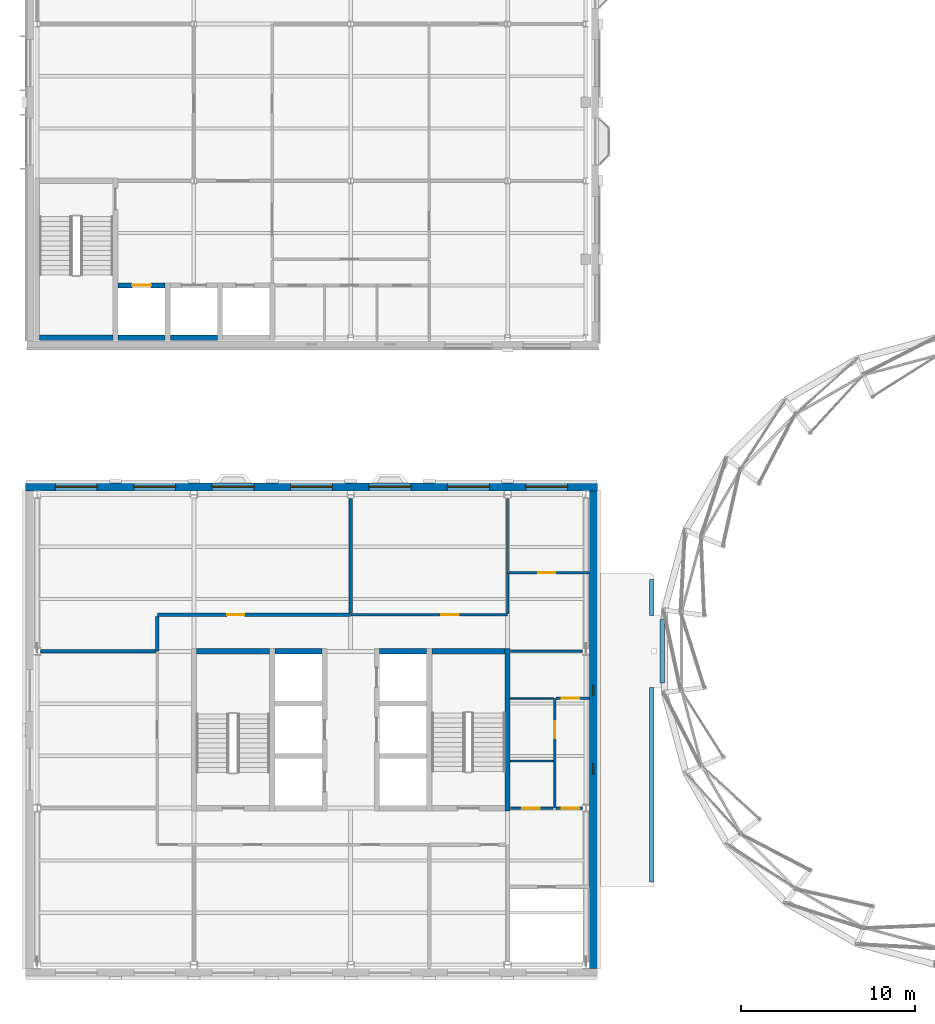
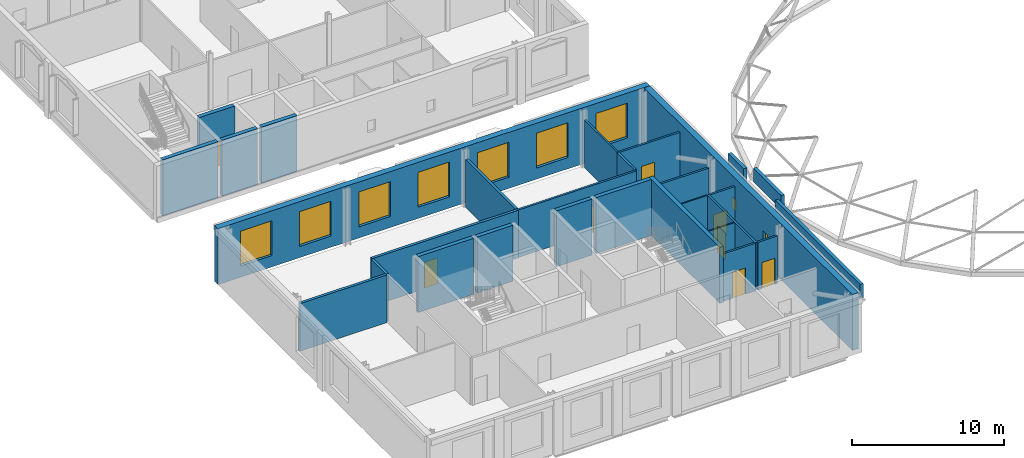
# One storey, part 24 of 59: 29 walls, 9 windows, 8 doors, 17 openings.
"""IFC4 building model written with IfcOpenShell, lengths in metres."""

from ifc_helpers import new_model, si_unit, direction, frame, frame_2d, origin, place, context, subcontext, project, spatial, rectangle, extrude, material, layer, layer_set, type_object, element, fill, save


model = new_model("IFC4")

# Units and contexts
model_context = context("Model", 3, precision=1e-05, world=origin(), true_north=direction((0.0, 1.0)))
body_context = subcontext(model_context, "Body", "Model", "MODEL_VIEW")
ifc_project = project(units=[si_unit("LENGTHUNIT", "METRE"), si_unit("AREAUNIT", "SQUARE_METRE"), si_unit("VOLUMEUNIT", "CUBIC_METRE"), si_unit("PLANEANGLEUNIT", "RADIAN"), si_unit("MASSUNIT", "GRAM", prefix="KILO")], contexts=[model_context])

# Site, building, storey
site_placement = place(None, origin())
site = spatial("IfcSite", under=ifc_project, at=site_placement, CompositionType="ELEMENT")
building_placement = place(site_placement, origin())
building = spatial("IfcBuilding", under=site, at=building_placement, Name="Hortulan Conservatory and Botanical Research Centre", CompositionType="ELEMENT")
storey_placement = place(building_placement, frame((0.0, 0.0, 10.5)))
storey = spatial("IfcBuildingStorey", under=building, at=storey_placement, Name="L02", CompositionType="ELEMENT", Elevation=10.5)

# Walls
ifc_material_1 = material(Name="Fire-rated plasterboard on steel studs", Category="steel")
ifc_layer_1 = layer(ifc_material_1, 0.199951171875)
ifc_layer_set_1 = layer_set([ifc_layer_1], Name="Compartment Partition 200")
wall_type_1 = type_object("IfcWallType", Name="Compartment Partition 200", PredefinedType="PARTITIONING", material=ifc_layer_set_1)
wall_1_placement = place(storey_placement, frame((6.89990234375, 18.010009765625, 0.0), z_axis=(0.0, 0.0, 1.0), x_axis=(0.0, 1.0, 0.0)))
element("IfcWall", 1, at=wall_1_placement, inside=storey, type_object=wall_type_1, Name="Store wall", PredefinedType="PARTITIONING", context=body_context, shape_type="SweptSolid", body=[
    extrude(rectangle(XDim=1.97998046875, YDim=0.199951171875, at=frame_2d((0.989990234375, 0.0))), origin(), (0.0, 0.0, 1.0), 3.822021484375),
])
wall_2_placement = place(storey_placement, frame((18.0, 20.2099609375, 0.0), z_axis=(0.0, 0.0, 1.0), x_axis=(0.0, 1.0, 0.0)))
element("IfcWall", 2, at=wall_2_placement, inside=storey, type_object=wall_type_1, Name="Store wall", PredefinedType="PARTITIONING", context=body_context, shape_type="SweptSolid", body=[
    extrude(rectangle(XDim=6.569091796875, YDim=0.199951171875, at=frame_2d((3.28466796875, 0.0))), origin(), (0.0, 0.0, 1.0), 3.822021484375),
])
wall_3_placement = place(storey_placement, frame((0.2099609375, 18.0, 0.0), z_axis=(0.0, 0.0, 1.0), x_axis=(1.0, 0.0, 0.0)))
element("IfcWall", 3, at=wall_3_placement, inside=storey, type_object=wall_type_1, Name="Store wall", PredefinedType="PARTITIONING", context=body_context, shape_type="SweptSolid", body=[
    extrude(rectangle(XDim=6.60498046875, YDim=0.199951171875, at=frame_2d((3.302490234375, 0.0))), origin(), (0.0, 0.0, 1.0), 3.822021484375),
])

# Wall, opening, door
wall_4_placement = place(storey_placement, frame((6.89990234375, 20.10009765625, 0.0), z_axis=(0.0, 0.0, 1.0), x_axis=(1.0, 0.0, 0.0)))
wall_4 = element("IfcWall", 4, at=wall_4_placement, inside=storey, type_object=wall_type_1, Name="Store wall", PredefinedType="PARTITIONING", context=body_context, shape_type="SweptSolid", body=[
    extrude(rectangle(XDim=11.10009765625, YDim=0.199951171875, at=frame_2d((5.550048828125, 0.0))), origin(), (0.0, 0.0, 1.0), 3.822021484375),
])
opening_1_placement = place(wall_4_placement, frame((4.0, 0.0, 0.0)))
opening_1 = element("IfcOpeningElement", 5, at=opening_1_placement, cuts=wall_4, Name="Opening DT6", PredefinedType="OPENING", context=body_context, shape_type="SweptSolid", body=[
    extrude(rectangle(XDim=1.0, YDim=2.10009765625, at=frame_2d((0.5, 1.050048828125))), frame((0.0, 0.10986328125, 0.0), z_axis=(0.0, -1.0, 0.0), x_axis=(1.0, 0.0, 0.0)), (0.0, 0.0, 1.0), 0.219970703125),
])
ifc_material_2 = material(Name="Steel door leaf, insulated", Category="steel")
door_type_1 = type_object("IfcDoorType", Name="Fire Door 1000x2100 FRL -/120/30", OperationType="NOTDEFINED", PredefinedType="DOOR", material=ifc_material_2)
door_1_placement = place(opening_1_placement, origin())
door_1 = element("IfcDoor", 6, at=door_1_placement, inside=storey, type_object=door_type_1, Name="Door DT6 Herbarium Archive Hall", OperationType="SINGLE_SWING_LEFT", OverallHeight=2.10009765625, OverallWidth=1.0, PredefinedType="DOOR", context=body_context, shape_type="SweptSolid", body=[
    extrude(rectangle(XDim=1.0, YDim=2.10009765625, at=frame_2d((0.5, 1.050048828125))), frame((0.0, 0.02490234375, 0.0), z_axis=(0.0, -1.0, 0.0), x_axis=(1.0, 0.0, 0.0)), (0.0, 0.0, 1.0), 0.050048828125),
])
fill(opening_1, door_1)

# Walls
ifc_material_3 = material(Name="Concrete N40 (40 MPa, AS 3600)", Category="concrete")
ifc_layer_2 = layer(ifc_material_3, 0.300048828125)
ifc_layer_set_2 = layer_set([ifc_layer_2], Name="Core Wall 300 N40 FRL 180/120/120")
wall_type_2 = type_object("IfcWallType", Name="Core Wall 300 N40 FRL 180/120/120", PredefinedType="SHEAR", material=ifc_layer_set_2)
wall_5_placement = place(storey_placement, frame((0.14990234375, 36.0, 0.0), z_axis=(0.0, 0.0, 1.0), x_axis=(1.0, 0.0, 0.0)))
element("IfcWall", 7, at=wall_5_placement, inside=storey, type_object=wall_type_2, Name="Reinforced concrete shaft wall", PredefinedType="SHEAR", context=body_context, shape_type="SweptSolid", body=[
    extrude(rectangle(XDim=4.2001953125, YDim=0.300048828125, at=frame_2d((2.10009765625, 0.0))), origin(), (0.0, 0.0, 1.0), 4.5),
])
for number, where, z_axis, x_axis, name in (
    (8, (4.64990234375, 36.0, 0.0), (0.0, 0.0, 1.0), (1.0, 0.0, 0.0), "Reinforced concrete shaft wall"),
    (9, (7.64990234375, 36.0, 0.0), (0.0, 0.0, 1.0), (1.0, 0.0, 0.0), "Reinforced concrete shaft wall"),
):
    element("IfcWall", number, at=place(storey_placement, frame(where, z_axis=z_axis, x_axis=x_axis)), inside=storey, type_object=wall_type_2, Name=name, PredefinedType="SHEAR", context=body_context, shape_type="SweptSolid", body=[
        extrude(rectangle(XDim=2.7001953125, YDim=0.300048828125, at=frame_2d((1.35009765625, 0.0))), origin(), (0.0, 0.0, 1.0), 4.5),
    ])

# Wall, opening, door
wall_6_placement = place(storey_placement, frame((4.64990234375, 39.0, 0.0), z_axis=(0.0, 0.0, 1.0), x_axis=(1.0, 0.0, 0.0)))
wall_6 = element("IfcWall", 10, at=wall_6_placement, inside=storey, type_object=wall_type_2, Name="Reinforced concrete shaft wall", PredefinedType="SHEAR", context=body_context, shape_type="SweptSolid", body=[
    extrude(rectangle(XDim=2.7001953125, YDim=0.300048828125, at=frame_2d((1.35009765625, 0.0))), origin(), (0.0, 0.0, 1.0), 4.5),
])
opening_2_placement = place(wall_6_placement, frame((0.800048828125, 0.0, 0.0)))
opening_2 = element("IfcOpeningElement", 11, at=opening_2_placement, cuts=wall_6, Name="Opening LD1", PredefinedType="OPENING", context=body_context, shape_type="SweptSolid", body=[
    extrude(rectangle(XDim=1.10009765625, YDim=2.10009765625, at=frame_2d((0.550048828125, 1.050048828125))), frame((0.0, 0.159912109375, 0.0), z_axis=(0.0, -1.0, 0.0), x_axis=(1.0, 0.0, 0.0)), (0.0, 0.0, 1.0), 0.320068359375),
])
ifc_material_4 = material(Name="Stainless steel door leaves in steel frame", Category="steel")
door_type_2 = type_object("IfcDoorType", Name="Lift Landing Door 1100x2100", OperationType="DOUBLE_DOOR_SLIDING", PredefinedType="DOOR", material=ifc_material_4)
door_2_placement = place(opening_2_placement, origin())
door_2 = element("IfcDoor", 12, at=door_2_placement, inside=storey, type_object=door_type_2, Name="Lift LV1 landing door L02", OperationType="DOUBLE_DOOR_SLIDING", OverallHeight=2.10009765625, OverallWidth=1.10009765625, PredefinedType="DOOR", context=body_context, shape_type="SweptSolid", body=[
    extrude(rectangle(XDim=1.10009765625, YDim=2.10009765625, at=frame_2d((0.550048828125, 1.050048828125))), frame((0.0, 0.02490234375, 0.0), z_axis=(0.0, -1.0, 0.0), x_axis=(1.0, 0.0, 0.0)), (0.0, 0.0, 1.0), 0.050048828125),
])
fill(opening_2, door_2)

# Walls
ifc_material_5 = material(Name="Concrete N50 (50 MPa, AS 3600)", Category="concrete")
ifc_layer_3 = layer(ifc_material_5, 0.300048828125)
ifc_layer_set_3 = layer_set([ifc_layer_3], Name="Core Wall 300 N50 FRL 240/120/120")
wall_type_3 = type_object("IfcWallType", Name="Core Wall 300 N50 FRL 240/120/120", PredefinedType="SHEAR", material=ifc_layer_set_3)
wall_7_placement = place(storey_placement, frame((27.0, 8.85009765625, 0.0), z_axis=(0.0, 0.0, 1.0), x_axis=(0.0, 1.0, 0.0)))
element("IfcWall", 13, at=wall_7_placement, inside=storey, type_object=wall_type_3, Name="Reinforced concrete shaft wall", PredefinedType="SHEAR", context=body_context, shape_type="SweptSolid", body=[
    extrude(rectangle(XDim=9.2998046875, YDim=0.300048828125, at=frame_2d((4.64990234375, 0.0))), origin(), (0.0, 0.0, 1.0), 4.5),
])
wall_8_placement = place(storey_placement, frame((9.14990234375, 18.0, 0.0), z_axis=(0.0, 0.0, 1.0), x_axis=(1.0, 0.0, 0.0)))
element("IfcWall", 14, at=wall_8_placement, inside=storey, type_object=wall_type_3, Name="Reinforced concrete shaft wall", PredefinedType="SHEAR", context=body_context, shape_type="SweptSolid", body=[
    extrude(rectangle(XDim=4.2001953125, YDim=0.300048828125, at=frame_2d((2.10009765625, 0.0))), origin(), (0.0, 0.0, 1.0), 4.5),
])
for number, where, z_axis, x_axis, name in (
    (15, (13.64990234375, 18.0, 0.0), (0.0, 0.0, 1.0), (1.0, 0.0, 0.0), "Reinforced concrete shaft wall"),
    (16, (19.64990234375, 18.0, 0.0), (0.0, 0.0, 1.0), (1.0, 0.0, 0.0), "Reinforced concrete shaft wall"),
):
    element("IfcWall", number, at=place(storey_placement, frame(where, z_axis=z_axis, x_axis=x_axis)), inside=storey, type_object=wall_type_3, Name=name, PredefinedType="SHEAR", context=body_context, shape_type="SweptSolid", body=[
        extrude(rectangle(XDim=2.7001953125, YDim=0.300048828125, at=frame_2d((1.35009765625, 0.0))), origin(), (0.0, 0.0, 1.0), 4.5),
    ])
wall_9_placement = place(storey_placement, frame((22.64990234375, 18.0, 0.0), z_axis=(0.0, 0.0, 1.0), x_axis=(1.0, 0.0, 0.0)))
element("IfcWall", 17, at=wall_9_placement, inside=storey, type_object=wall_type_3, Name="Reinforced concrete shaft wall", PredefinedType="SHEAR", context=body_context, shape_type="SweptSolid", body=[
    extrude(rectangle(XDim=4.2001953125, YDim=0.300048828125, at=frame_2d((2.10009765625, 0.0))), origin(), (0.0, 0.0, 1.0), 4.5),
])
ifc_material_6 = material(Name="Plasterboard on steel studs", Category="steel")
ifc_layer_4 = layer(ifc_material_6, 0.14990234375)
ifc_layer_set_4 = layer_set([ifc_layer_4], Name="Corridor Partition 150")
wall_type_4 = type_object("IfcWallType", Name="Corridor Partition 150", PredefinedType="PARTITIONING", material=ifc_layer_set_4)
wall_10_placement = place(storey_placement, frame((27.0, 20.18505859375, 0.0), z_axis=(0.0, 0.0, 1.0), x_axis=(0.0, 1.0, 0.0)))
element("IfcWall", 18, at=wall_10_placement, inside=storey, type_object=wall_type_4, Name="Corridor partition", PredefinedType="PARTITIONING", context=body_context, shape_type="SweptSolid", body=[
    extrude(rectangle(XDim=2.304931640625, YDim=0.14990234375, at=frame_2d((1.15234375, 0.0))), origin(), (0.0, 0.0, 1.0), 3.822021484375),
])

# Wall, opening, door
wall_11_placement = place(storey_placement, frame((27.159912109375, 9.0, 0.0), z_axis=(0.0, 0.0, 1.0), x_axis=(1.0, 0.0, 0.0)))
wall_11 = element("IfcWall", 19, at=wall_11_placement, inside=storey, type_object=wall_type_4, Name="Corridor partition", PredefinedType="PARTITIONING", context=body_context, shape_type="SweptSolid", body=[
    extrude(rectangle(XDim=2.455078125, YDim=0.14990234375, at=frame_2d((1.2275390625, 0.0))), origin(), (0.0, 0.0, 1.0), 3.822021484375),
])
opening_3_placement = place(wall_11_placement, frame((0.68994140625, 0.0, 0.0)))
opening_3 = element("IfcOpeningElement", 20, at=opening_3_placement, cuts=wall_11, Name="Opening DT1", PredefinedType="OPENING", context=body_context, shape_type="SweptSolid", body=[
    extrude(rectangle(XDim=1.0, YDim=2.10009765625, at=frame_2d((0.5, 1.050048828125))), frame((0.0, 0.0849609375, 0.0), z_axis=(0.0, -1.0, 0.0), x_axis=(1.0, 0.0, 0.0)), (0.0, 0.0, 1.0), 0.169921875),
])
ifc_material_7 = material(Name="Timber door leaf in timber frame", Category="wood")
door_type_3 = type_object("IfcDoorType", Name="Single Door 1000x2100", OperationType="NOTDEFINED", PredefinedType="DOOR", material=ifc_material_7)
door_3_placement = place(opening_3_placement, origin())
door_3 = element("IfcDoor", 21, at=door_3_placement, inside=storey, type_object=door_type_3, Name="Door DT1 Accessible WC", OperationType="SINGLE_SWING_RIGHT", OverallHeight=2.10009765625, OverallWidth=1.0, PredefinedType="DOOR", context=body_context, shape_type="SweptSolid", body=[
    extrude(rectangle(XDim=1.0, YDim=2.10009765625, at=frame_2d((0.5, 1.050048828125))), frame((0.0, 0.02490234375, 0.0), z_axis=(0.0, -1.0, 0.0), x_axis=(1.0, 0.0, 0.0)), (0.0, 0.0, 1.0), 0.050048828125),
])
fill(opening_3, door_3)

# Wall
wall_12_placement = place(storey_placement, frame((27.159912109375, 18.0, 0.0), z_axis=(0.0, 0.0, 1.0), x_axis=(1.0, 0.0, 0.0)))
element("IfcWall", 22, at=wall_12_placement, inside=storey, type_object=wall_type_4, Name="Corridor partition", PredefinedType="PARTITIONING", context=body_context, shape_type="SweptSolid", body=[
    extrude(rectangle(XDim=4.130126953125, YDim=0.14990234375, at=frame_2d((2.06494140625, 0.0))), origin(), (0.0, 0.0, 1.0), 3.822021484375),
])

# Wall, opening, door
wall_13_placement = place(storey_placement, frame((18.010009765625, 20.10009765625, 0.0), z_axis=(0.0, 0.0, 1.0), x_axis=(1.0, 0.0, 0.0)))
wall_13 = element("IfcWall", 23, at=wall_13_placement, inside=storey, type_object=wall_type_4, Name="Corridor partition", PredefinedType="PARTITIONING", context=body_context, shape_type="SweptSolid", body=[
    extrude(rectangle(XDim=8.989990234375, YDim=0.14990234375, at=frame_2d((4.4951171875, 0.0))), origin(), (0.0, 0.0, 1.0), 3.822021484375),
])
opening_4_placement = place(wall_13_placement, frame((5.18994140625, 0.0, 0.0)))
opening_4 = element("IfcOpeningElement", 24, at=opening_4_placement, cuts=wall_13, Name="Opening DT1", PredefinedType="OPENING", context=body_context, shape_type="SweptSolid", body=[
    extrude(rectangle(XDim=1.0, YDim=2.10009765625, at=frame_2d((0.5, 1.050048828125))), frame((0.0, 0.0849609375, 0.0), z_axis=(0.0, -1.0, 0.0), x_axis=(1.0, 0.0, 0.0)), (0.0, 0.0, 1.0), 0.169921875),
])
door_4_placement = place(opening_4_placement, origin())
door_4 = element("IfcDoor", 25, at=door_4_placement, inside=storey, type_object=door_type_3, Name="Door DT1 Herbarium Photography Studio", OperationType="SINGLE_SWING_RIGHT", OverallHeight=2.10009765625, OverallWidth=1.0, PredefinedType="DOOR", context=body_context, shape_type="SweptSolid", body=[
    extrude(rectangle(XDim=1.0, YDim=2.10009765625, at=frame_2d((0.5, 1.050048828125))), frame((0.0, 0.02490234375, 0.0), z_axis=(0.0, -1.0, 0.0), x_axis=(1.0, 0.0, 0.0)), (0.0, 0.0, 1.0), 0.050048828125),
])
fill(opening_4, door_4)

wall_14_placement = place(storey_placement, frame((27.072509765625, 22.5, 0.0), z_axis=(0.0, 0.0, 1.0), x_axis=(1.0, 0.0, 0.0)))
wall_14 = element("IfcWall", 26, at=wall_14_placement, inside=storey, type_object=wall_type_4, Name="Corridor partition", PredefinedType="PARTITIONING", context=body_context, shape_type="SweptSolid", body=[
    extrude(rectangle(XDim=4.617431640625, YDim=0.14990234375, at=frame_2d((2.30859375, 0.0))), origin(), (0.0, 0.0, 1.0), 3.822021484375),
])
opening_5_placement = place(wall_14_placement, frame((1.677490234375, 0.0, 0.0)))
opening_5 = element("IfcOpeningElement", 27, at=opening_5_placement, cuts=wall_14, Name="Opening DT1", PredefinedType="OPENING", context=body_context, shape_type="SweptSolid", body=[
    extrude(rectangle(XDim=1.0, YDim=2.10009765625, at=frame_2d((0.5, 1.050048828125))), frame((0.0, 0.0849609375, 0.0), z_axis=(0.0, -1.0, 0.0), x_axis=(1.0, 0.0, 0.0)), (0.0, 0.0, 1.0), 0.169921875),
])
door_5_placement = place(opening_5_placement, origin())
door_5 = element("IfcDoor", 28, at=door_5_placement, inside=storey, type_object=door_type_3, Name="Door DT1 Curators' Meeting Room", OperationType="SINGLE_SWING_RIGHT", OverallHeight=2.10009765625, OverallWidth=1.0, PredefinedType="DOOR", context=body_context, shape_type="SweptSolid", body=[
    extrude(rectangle(XDim=1.0, YDim=2.10009765625, at=frame_2d((0.5, 1.050048828125))), frame((0.0, 0.02490234375, 0.0), z_axis=(0.0, -1.0, 0.0), x_axis=(1.0, 0.0, 0.0)), (0.0, 0.0, 1.0), 0.050048828125),
])
fill(opening_5, door_5)

ifc_layer_5 = layer(ifc_material_1, 0.14990234375)
ifc_layer_set_5 = layer_set([ifc_layer_5], Name="Lobby Partition 150")
wall_type_5 = type_object("IfcWallType", Name="Lobby Partition 150", PredefinedType="PARTITIONING", material=ifc_layer_set_5)
wall_15_placement = place(storey_placement, frame((29.699951171875, 9.0, 0.0), z_axis=(0.0, 0.0, 1.0), x_axis=(0.0, 1.0, 0.0)))
wall_15 = element("IfcWall", 29, at=wall_15_placement, inside=storey, type_object=wall_type_5, Name="Lobby partition", PredefinedType="PARTITIONING", context=body_context, shape_type="SweptSolid", body=[
    extrude(rectangle(XDim=6.300048828125, YDim=0.14990234375, at=frame_2d((3.14990234375, 0.0))), origin(), (0.0, 0.0, 1.0), 3.822021484375),
])
opening_6_placement = place(wall_15_placement, frame((4.0, 0.0, 0.0)))
opening_6 = element("IfcOpeningElement", 30, at=opening_6_placement, cuts=wall_15, Name="Opening DT4", PredefinedType="OPENING", context=body_context, shape_type="SweptSolid", body=[
    extrude(rectangle(XDim=1.0, YDim=2.10009765625, at=frame_2d((0.5, 1.050048828125))), frame((0.0, 0.0849609375, 0.0), z_axis=(0.0, -1.0, 0.0), x_axis=(1.0, 0.0, 0.0)), (0.0, 0.0, 1.0), 0.169921875),
])
door_type_4 = type_object("IfcDoorType", Name="Fire Door 1000x2100 FRL -/60/30", OperationType="NOTDEFINED", PredefinedType="DOOR", material=ifc_material_2)
door_6_placement = place(opening_6_placement, origin())
door_6 = element("IfcDoor", 31, at=door_6_placement, inside=storey, type_object=door_type_4, Name="Door DT4 Women's WC", OperationType="SINGLE_SWING_LEFT", OverallHeight=2.10009765625, OverallWidth=1.0, PredefinedType="DOOR", context=body_context, shape_type="SweptSolid", body=[
    extrude(rectangle(XDim=1.0, YDim=2.10009765625, at=frame_2d((0.5, 1.050048828125))), frame((0.0, 0.02490234375, 0.0), z_axis=(0.0, -1.0, 0.0), x_axis=(1.0, 0.0, 0.0)), (0.0, 0.0, 1.0), 0.050048828125),
])
fill(opening_6, door_6)

wall_16_placement = place(storey_placement, frame((29.784912109375, 9.0, 0.0), z_axis=(0.0, 0.0, 1.0), x_axis=(1.0, 0.0, 0.0)))
wall_16 = element("IfcWall", 32, at=wall_16_placement, inside=storey, type_object=wall_type_5, Name="Lobby partition", PredefinedType="PARTITIONING", context=body_context, shape_type="SweptSolid", body=[
    extrude(rectangle(XDim=1.505126953125, YDim=0.14990234375, at=frame_2d((0.75244140625, 0.0))), origin(), (0.0, 0.0, 1.0), 3.822021484375),
])
opening_7_placement = place(wall_16_placement, frame((0.31494140625, 0.0, 0.0)))
opening_7 = element("IfcOpeningElement", 33, at=opening_7_placement, cuts=wall_16, Name="Opening DT4", PredefinedType="OPENING", context=body_context, shape_type="SweptSolid", body=[
    extrude(rectangle(XDim=1.0, YDim=2.10009765625, at=frame_2d((0.5, 1.050048828125))), frame((0.0, 0.0849609375, 0.0), z_axis=(0.0, -1.0, 0.0), x_axis=(1.0, 0.0, 0.0)), (0.0, 0.0, 1.0), 0.169921875),
])
door_7_placement = place(opening_7_placement, origin())
door_7 = element("IfcDoor", 34, at=door_7_placement, inside=storey, type_object=door_type_4, Name="Door DT4 WC Lobby", OperationType="SINGLE_SWING_LEFT", OverallHeight=2.10009765625, OverallWidth=1.0, PredefinedType="DOOR", context=body_context, shape_type="SweptSolid", body=[
    extrude(rectangle(XDim=1.0, YDim=2.10009765625, at=frame_2d((0.5, 1.050048828125))), frame((0.0, 0.02490234375, 0.0), z_axis=(0.0, -1.0, 0.0), x_axis=(1.0, 0.0, 0.0)), (0.0, 0.0, 1.0), 0.050048828125),
])
fill(opening_7, door_7)

wall_17_placement = place(storey_placement, frame((29.784912109375, 15.300048828125, 0.0), z_axis=(0.0, 0.0, 1.0), x_axis=(1.0, 0.0, 0.0)))
wall_17 = element("IfcWall", 35, at=wall_17_placement, inside=storey, type_object=wall_type_5, Name="Lobby partition", PredefinedType="PARTITIONING", context=body_context, shape_type="SweptSolid", body=[
    extrude(rectangle(XDim=1.905029296875, YDim=0.14990234375, at=frame_2d((0.95263671875, 0.0))), origin(), (0.0, 0.0, 1.0), 3.822021484375),
])
opening_8_placement = place(wall_17_placement, frame((0.31494140625, 0.0, 0.0)))
opening_8 = element("IfcOpeningElement", 36, at=opening_8_placement, cuts=wall_17, Name="Opening DT4", PredefinedType="OPENING", context=body_context, shape_type="SweptSolid", body=[
    extrude(rectangle(XDim=1.0, YDim=2.10009765625, at=frame_2d((0.5, 1.050048828125))), frame((0.0, 0.0849609375, 0.0), z_axis=(0.0, -1.0, 0.0), x_axis=(1.0, 0.0, 0.0)), (0.0, 0.0, 1.0), 0.169921875),
])
door_8_placement = place(opening_8_placement, origin())
door_8 = element("IfcDoor", 37, at=door_8_placement, inside=storey, type_object=door_type_4, Name="Door DT4 Men's WC", OperationType="SINGLE_SWING_RIGHT", OverallHeight=2.10009765625, OverallWidth=1.0, PredefinedType="DOOR", context=body_context, shape_type="SweptSolid", body=[
    extrude(rectangle(XDim=1.0, YDim=2.10009765625, at=frame_2d((0.5, 1.050048828125))), frame((0.0, 0.02490234375, 0.0), z_axis=(0.0, -1.0, 0.0), x_axis=(1.0, 0.0, 0.0)), (0.0, 0.0, 1.0), 0.050048828125),
])
fill(opening_8, door_8)

# Wall
ifc_layer_6 = layer(ifc_material_6, 0.125)
ifc_layer_set_6 = layer_set([ifc_layer_6], Name="Partition 125")
wall_type_6 = type_object("IfcWallType", Name="Partition 125", PredefinedType="PARTITIONING", material=ifc_layer_set_6)
wall_18_placement = place(storey_placement, frame((27.0, 22.5, 0.0), z_axis=(0.0, 0.0, 1.0), x_axis=(0.0, 1.0, 0.0)))
element("IfcWall", 38, at=wall_18_placement, inside=storey, type_object=wall_type_6, Name="Partition", PredefinedType="PARTITIONING", context=body_context, shape_type="SweptSolid", body=[
    extrude(rectangle(XDim=4.279052734375, YDim=0.125, at=frame_2d((2.1396484375, 0.0))), origin(), (0.0, 0.0, 1.0), 3.822021484375),
])

# Wall, openings, windows
ifc_material_8 = material(Name="Sandstone masonry (Hawkesbury yellow block)", Category="masonry")
ifc_layer_7 = layer(ifc_material_8, 0.449951171875)
ifc_layer_set_7 = layer_set([ifc_layer_7], Name="Sandstone Masonry Cavity Wall 450")
wall_type_7 = type_object("IfcWallType", Name="Sandstone Masonry Cavity Wall 450", PredefinedType="STANDARD", material=ifc_layer_set_7)
wall_19_placement = place(storey_placement, frame((-0.64990234375, 27.43603515625, 0.0), z_axis=(0.0, 0.0, 1.0), x_axis=(1.0, 0.0, 0.0)))
wall_19 = element("IfcWall", 39, at=wall_19_placement, inside=storey, type_object=wall_type_7, Name="E-EW-TW-L02-N3", PredefinedType="STANDARD", context=body_context, shape_type="SweptSolid", body=[
    extrude(rectangle(XDim=32.7998046875, YDim=0.449951171875, at=frame_2d((16.39990234375, 0.0))), origin(), (0.0, 0.0, 1.0), 4.5),
])
opening_9_placement = place(wall_19_placement, frame((1.699951171875, 0.0, 0.89990234375)))
opening_9 = element("IfcOpeningElement", 40, at=opening_9_placement, cuts=wall_19, Name="Opening W2", PredefinedType="OPENING", context=body_context, shape_type="SweptSolid", body=[
    extrude(rectangle(XDim=2.39990234375, YDim=2.800048828125, at=frame_2d((1.199951171875, 1.39990234375))), frame((0.0, 0.23486328125, 0.0), z_axis=(0.0, -1.0, 0.0), x_axis=(1.0, 0.0, 0.0)), (0.0, 0.0, 1.0), 0.469970703125),
])
opening_10_placement = place(wall_19_placement, frame((6.199951171875, 0.0, 0.89990234375)))
opening_10 = element("IfcOpeningElement", 41, at=opening_10_placement, cuts=wall_19, Name="Opening W2", PredefinedType="OPENING", context=body_context, shape_type="SweptSolid", body=[
    extrude(rectangle(XDim=2.39990234375, YDim=2.800048828125, at=frame_2d((1.199951171875, 1.39990234375))), frame((0.0, 0.23486328125, 0.0), z_axis=(0.0, -1.0, 0.0), x_axis=(1.0, 0.0, 0.0)), (0.0, 0.0, 1.0), 0.469970703125),
])
opening_11_placement = place(wall_19_placement, frame((10.699951171875, 0.0, 0.89990234375)))
opening_11 = element("IfcOpeningElement", 42, at=opening_11_placement, cuts=wall_19, Name="Opening W2", PredefinedType="OPENING", context=body_context, shape_type="SweptSolid", body=[
    extrude(rectangle(XDim=2.39990234375, YDim=2.800048828125, at=frame_2d((1.199951171875, 1.39990234375))), frame((0.0, 0.23486328125, 0.0), z_axis=(0.0, -1.0, 0.0), x_axis=(1.0, 0.0, 0.0)), (0.0, 0.0, 1.0), 0.469970703125),
])
opening_12_placement = place(wall_19_placement, frame((15.199951171875, 0.0, 0.89990234375)))
opening_12 = element("IfcOpeningElement", 43, at=opening_12_placement, cuts=wall_19, Name="Opening W2", PredefinedType="OPENING", context=body_context, shape_type="SweptSolid", body=[
    extrude(rectangle(XDim=2.39990234375, YDim=2.800048828125, at=frame_2d((1.199951171875, 1.39990234375))), frame((0.0, 0.23486328125, 0.0), z_axis=(0.0, -1.0, 0.0), x_axis=(1.0, 0.0, 0.0)), (0.0, 0.0, 1.0), 0.469970703125),
])
opening_13_placement = place(wall_19_placement, frame((19.699951171875, 0.0, 0.89990234375)))
opening_13 = element("IfcOpeningElement", 44, at=opening_13_placement, cuts=wall_19, Name="Opening W2", PredefinedType="OPENING", context=body_context, shape_type="SweptSolid", body=[
    extrude(rectangle(XDim=2.39990234375, YDim=2.800048828125, at=frame_2d((1.199951171875, 1.39990234375))), frame((0.0, 0.23486328125, 0.0), z_axis=(0.0, -1.0, 0.0), x_axis=(1.0, 0.0, 0.0)), (0.0, 0.0, 1.0), 0.469970703125),
])
opening_14_placement = place(wall_19_placement, frame((24.199951171875, 0.0, 0.89990234375)))
opening_14 = element("IfcOpeningElement", 45, at=opening_14_placement, cuts=wall_19, Name="Opening W2", PredefinedType="OPENING", context=body_context, shape_type="SweptSolid", body=[
    extrude(rectangle(XDim=2.39990234375, YDim=2.800048828125, at=frame_2d((1.199951171875, 1.39990234375))), frame((0.0, 0.23486328125, 0.0), z_axis=(0.0, -1.0, 0.0), x_axis=(1.0, 0.0, 0.0)), (0.0, 0.0, 1.0), 0.469970703125),
])
opening_15_placement = place(wall_19_placement, frame((28.699951171875, 0.0, 0.89990234375)))
opening_15 = element("IfcOpeningElement", 46, at=opening_15_placement, cuts=wall_19, Name="Opening W2", PredefinedType="OPENING", context=body_context, shape_type="SweptSolid", body=[
    extrude(rectangle(XDim=2.39990234375, YDim=2.800048828125, at=frame_2d((1.199951171875, 1.39990234375))), frame((0.0, 0.23486328125, 0.0), z_axis=(0.0, -1.0, 0.0), x_axis=(1.0, 0.0, 0.0)), (0.0, 0.0, 1.0), 0.469970703125),
])
ifc_material_9 = material(Name="Bronze-finished aluminium frame with low-e laminated double glazing", Category="aluminium")
window_type_1 = type_object("IfcWindowType", Name="Sandstone Window 2400x2800", PartitioningType="SINGLE_PANEL", PredefinedType="WINDOW", material=ifc_material_9)
window_1_placement = place(opening_9_placement, origin())
window_1 = element("IfcWindow", 47, at=window_1_placement, inside=storey, type_object=window_type_1, Name="Sandstone window", OverallHeight=2.800048828125, OverallWidth=2.39990234375, PartitioningType="SINGLE_PANEL", PredefinedType="WINDOW", context=body_context, shape_type="SweptSolid", body=[
    extrude(rectangle(XDim=2.39990234375, YDim=2.800048828125, at=frame_2d((1.199951171875, 1.39990234375))), frame((0.0, 0.030029296875, 0.0), z_axis=(0.0, -1.0, 0.0), x_axis=(1.0, 0.0, 0.0)), (0.0, 0.0, 1.0), 0.06005859375),
])
fill(opening_9, window_1)
window_2_placement = place(opening_10_placement, origin())
window_2 = element("IfcWindow", 48, at=window_2_placement, inside=storey, type_object=window_type_1, Name="Sandstone window", OverallHeight=2.800048828125, OverallWidth=2.39990234375, PartitioningType="SINGLE_PANEL", PredefinedType="WINDOW", context=body_context, shape_type="SweptSolid", body=[
    extrude(rectangle(XDim=2.39990234375, YDim=2.800048828125, at=frame_2d((1.199951171875, 1.39990234375))), frame((0.0, 0.030029296875, 0.0), z_axis=(0.0, -1.0, 0.0), x_axis=(1.0, 0.0, 0.0)), (0.0, 0.0, 1.0), 0.06005859375),
])
fill(opening_10, window_2)
window_3_placement = place(opening_11_placement, origin())
window_3 = element("IfcWindow", 49, at=window_3_placement, inside=storey, type_object=window_type_1, Name="Sandstone window", OverallHeight=2.800048828125, OverallWidth=2.39990234375, PartitioningType="SINGLE_PANEL", PredefinedType="WINDOW", context=body_context, shape_type="SweptSolid", body=[
    extrude(rectangle(XDim=2.39990234375, YDim=2.800048828125, at=frame_2d((1.199951171875, 1.39990234375))), frame((0.0, 0.030029296875, 0.0), z_axis=(0.0, -1.0, 0.0), x_axis=(1.0, 0.0, 0.0)), (0.0, 0.0, 1.0), 0.06005859375),
])
fill(opening_11, window_3)
window_4_placement = place(opening_12_placement, origin())
window_4 = element("IfcWindow", 50, at=window_4_placement, inside=storey, type_object=window_type_1, Name="Sandstone window", OverallHeight=2.800048828125, OverallWidth=2.39990234375, PartitioningType="SINGLE_PANEL", PredefinedType="WINDOW", context=body_context, shape_type="SweptSolid", body=[
    extrude(rectangle(XDim=2.39990234375, YDim=2.800048828125, at=frame_2d((1.199951171875, 1.39990234375))), frame((0.0, 0.030029296875, 0.0), z_axis=(0.0, -1.0, 0.0), x_axis=(1.0, 0.0, 0.0)), (0.0, 0.0, 1.0), 0.06005859375),
])
fill(opening_12, window_4)
window_5_placement = place(opening_13_placement, origin())
window_5 = element("IfcWindow", 51, at=window_5_placement, inside=storey, type_object=window_type_1, Name="Sandstone window", OverallHeight=2.800048828125, OverallWidth=2.39990234375, PartitioningType="SINGLE_PANEL", PredefinedType="WINDOW", context=body_context, shape_type="SweptSolid", body=[
    extrude(rectangle(XDim=2.39990234375, YDim=2.800048828125, at=frame_2d((1.199951171875, 1.39990234375))), frame((0.0, 0.030029296875, 0.0), z_axis=(0.0, -1.0, 0.0), x_axis=(1.0, 0.0, 0.0)), (0.0, 0.0, 1.0), 0.06005859375),
])
fill(opening_13, window_5)
window_6_placement = place(opening_14_placement, origin())
window_6 = element("IfcWindow", 52, at=window_6_placement, inside=storey, type_object=window_type_1, Name="Sandstone window", OverallHeight=2.800048828125, OverallWidth=2.39990234375, PartitioningType="SINGLE_PANEL", PredefinedType="WINDOW", context=body_context, shape_type="SweptSolid", body=[
    extrude(rectangle(XDim=2.39990234375, YDim=2.800048828125, at=frame_2d((1.199951171875, 1.39990234375))), frame((0.0, 0.030029296875, 0.0), z_axis=(0.0, -1.0, 0.0), x_axis=(1.0, 0.0, 0.0)), (0.0, 0.0, 1.0), 0.06005859375),
])
fill(opening_14, window_6)
window_7_placement = place(opening_15_placement, origin())
window_7 = element("IfcWindow", 53, at=window_7_placement, inside=storey, type_object=window_type_1, Name="Sandstone window", OverallHeight=2.800048828125, OverallWidth=2.39990234375, PartitioningType="SINGLE_PANEL", PredefinedType="WINDOW", context=body_context, shape_type="SweptSolid", body=[
    extrude(rectangle(XDim=2.39990234375, YDim=2.800048828125, at=frame_2d((1.199951171875, 1.39990234375))), frame((0.0, 0.030029296875, 0.0), z_axis=(0.0, -1.0, 0.0), x_axis=(1.0, 0.0, 0.0)), (0.0, 0.0, 1.0), 0.06005859375),
])
fill(opening_15, window_7)

wall_20_placement = place(storey_placement, frame((31.925048828125, 27.199951171875, 0.0), z_axis=(0.0, 0.0, 1.0), x_axis=(0.0, -1.0, 0.0)))
wall_20 = element("IfcWall", 54, at=wall_20_placement, inside=storey, type_object=wall_type_7, Name="E-EW-TW-L02-E4", PredefinedType="STANDARD", context=body_context, shape_type="SweptSolid", body=[
    extrude(rectangle(XDim=27.39990234375, YDim=0.449951171875, at=frame_2d((13.699951171875, 0.0))), origin(), (0.0, 0.0, 1.0), 4.5),
])
opening_16_placement = place(wall_20_placement, frame((15.64990234375, 0.0, 1.60009765625)))
opening_16 = element("IfcOpeningElement", 55, at=opening_16_placement, cuts=wall_20, Name="Opening W3", PredefinedType="OPENING", context=body_context, shape_type="SweptSolid", body=[
    extrude(rectangle(XDim=0.60009765625, YDim=0.89990234375, at=frame_2d((0.300048828125, 0.449951171875))), frame((0.0, 0.23486328125, 0.0), z_axis=(0.0, -1.0, 0.0), x_axis=(1.0, 0.0, 0.0)), (0.0, 0.0, 1.0), 0.469970703125),
])
opening_17_placement = place(wall_20_placement, frame((11.14990234375, 0.0, 1.60009765625)))
opening_17 = element("IfcOpeningElement", 56, at=opening_17_placement, cuts=wall_20, Name="Opening W3", PredefinedType="OPENING", context=body_context, shape_type="SweptSolid", body=[
    extrude(rectangle(XDim=0.60009765625, YDim=0.89990234375, at=frame_2d((0.300048828125, 0.449951171875))), frame((0.0, 0.23486328125, 0.0), z_axis=(0.0, -1.0, 0.0), x_axis=(1.0, 0.0, 0.0)), (0.0, 0.0, 1.0), 0.469970703125),
])
window_type_2 = type_object("IfcWindowType", Name="Slot Window 600x900", PartitioningType="SINGLE_PANEL", PredefinedType="WINDOW", material=ifc_material_9)
window_8_placement = place(opening_16_placement, origin())
window_8 = element("IfcWindow", 57, at=window_8_placement, inside=storey, type_object=window_type_2, Name="Slot window", OverallHeight=0.89990234375, OverallWidth=0.60009765625, PartitioningType="SINGLE_PANEL", PredefinedType="WINDOW", context=body_context, shape_type="SweptSolid", body=[
    extrude(rectangle(XDim=0.60009765625, YDim=0.89990234375, at=frame_2d((0.300048828125, 0.449951171875))), frame((0.0, 0.030029296875, 0.0), z_axis=(0.0, -1.0, 0.0), x_axis=(1.0, 0.0, 0.0)), (0.0, 0.0, 1.0), 0.06005859375),
])
fill(opening_16, window_8)
window_9_placement = place(opening_17_placement, origin())
window_9 = element("IfcWindow", 58, at=window_9_placement, inside=storey, type_object=window_type_2, Name="Slot window", OverallHeight=0.89990234375, OverallWidth=0.60009765625, PartitioningType="SINGLE_PANEL", PredefinedType="WINDOW", context=body_context, shape_type="SweptSolid", body=[
    extrude(rectangle(XDim=0.60009765625, YDim=0.89990234375, at=frame_2d((0.300048828125, 0.449951171875))), frame((0.0, 0.030029296875, 0.0), z_axis=(0.0, -1.0, 0.0), x_axis=(1.0, 0.0, 0.0)), (0.0, 0.0, 1.0), 0.06005859375),
])
fill(opening_17, window_9)

# Walls
ifc_layer_8 = layer(ifc_material_8, 0.25)
ifc_layer_set_8 = layer_set([ifc_layer_8], Name="Sandstone Roof Parapet 250")
wall_type_8 = type_object("IfcWallType", Name="Sandstone Roof Parapet 250", PredefinedType="PARAPET", material=ifc_layer_set_8)
wall_21_placement = place(storey_placement, frame((35.27490234375, 22.114990234375, 0.0), z_axis=(0.0, 0.0, 1.0), x_axis=(0.0, -1.0, 0.0)))
element("IfcWall", 59, at=wall_21_placement, inside=storey, type_object=wall_type_8, Name="Roof parapet", PredefinedType="PARAPET", context=body_context, shape_type="SweptSolid", body=[
    extrude(rectangle(XDim=2.04541015625, YDim=0.25, at=frame_2d((1.022705078125, 0.0))), origin(), (0.0, 0.0, 1.0), 1.10009765625),
])
wall_22_placement = place(storey_placement, frame((35.875, 19.819580078125, 0.0), z_axis=(0.0, 0.0, 1.0), x_axis=(0.0, -1.0, 0.0)))
element("IfcWall", 60, at=wall_22_placement, inside=storey, type_object=wall_type_8, Name="Roof parapet", PredefinedType="PARAPET", context=body_context, shape_type="SweptSolid", body=[
    extrude(rectangle(XDim=3.63916015625, YDim=0.25, at=frame_2d((1.819580078125, 0.0))), origin(), (0.0, 0.0, 1.0), 1.10009765625),
])
wall_23_placement = place(storey_placement, frame((35.27490234375, 15.930419921875, 0.0), z_axis=(0.0, 0.0, 1.0), x_axis=(0.0, -1.0, 0.0)))
element("IfcWall", 61, at=wall_23_placement, inside=storey, type_object=wall_type_8, Name="Roof parapet", PredefinedType="PARAPET", context=body_context, shape_type="SweptSolid", body=[
    extrude(rectangle(XDim=11.180419921875, YDim=0.25, at=frame_2d((5.59033203125, 0.0))), origin(), (0.0, 0.0, 1.0), 1.10009765625),
])
ifc_material_10 = material(Name="Moisture-resistant plasterboard on steel studs", Category="steel")
ifc_layer_9 = layer(ifc_material_10, 0.10009765625)
ifc_layer_set_9 = layer_set([ifc_layer_9], Name="Wet Area Partition 100")
wall_type_9 = type_object("IfcWallType", Name="Wet Area Partition 100", PredefinedType="PARTITIONING", material=ifc_layer_set_9)
for number, where, z_axis, x_axis, name in (
    (62, (27.159912109375, 11.699951171875, 0.0), (0.0, 0.0, 1.0), (1.0, 0.0, 0.0), "Toilet partition"),
    (63, (27.159912109375, 15.300048828125, 0.0), (0.0, 0.0, 1.0), (1.0, 0.0, 0.0), "Toilet partition"),
):
    element("IfcWall", number, at=place(storey_placement, frame(where, z_axis=z_axis, x_axis=x_axis)), inside=storey, type_object=wall_type_9, Name=name, PredefinedType="PARTITIONING", context=body_context, shape_type="SweptSolid", body=[
        extrude(rectangle(XDim=2.455078125, YDim=0.10009765625, at=frame_2d((1.2275390625, 0.0))), origin(), (0.0, 0.0, 1.0), 3.822021484375),
    ])

save(model, "model.ifc")
